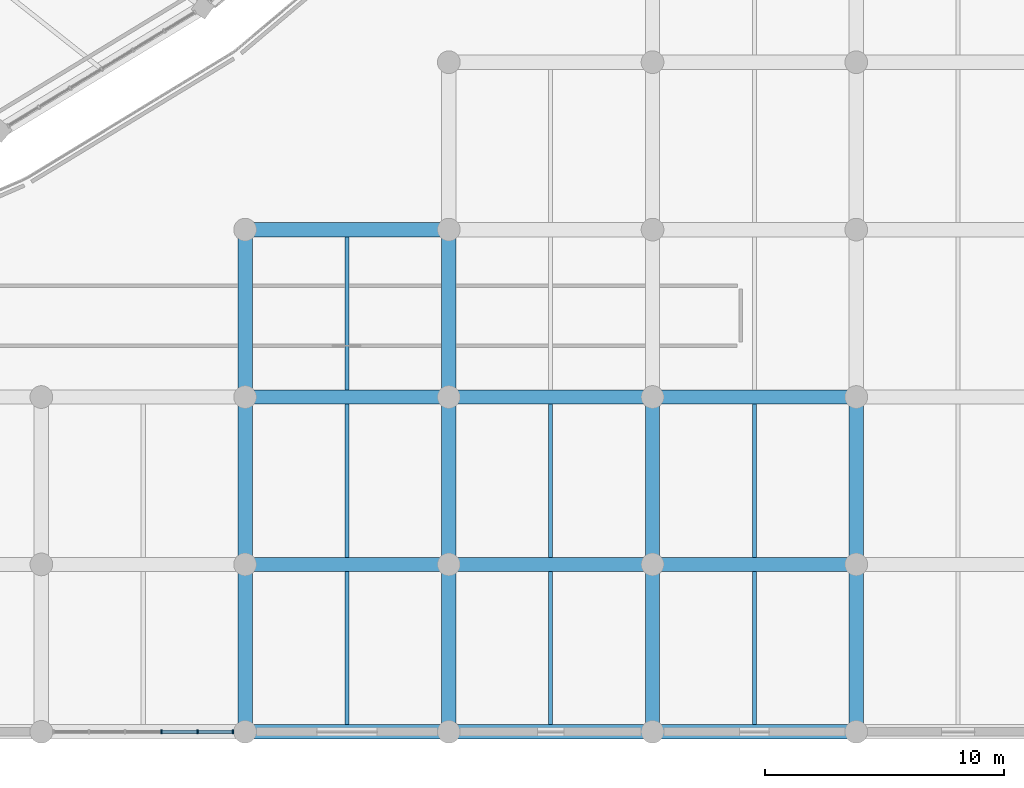
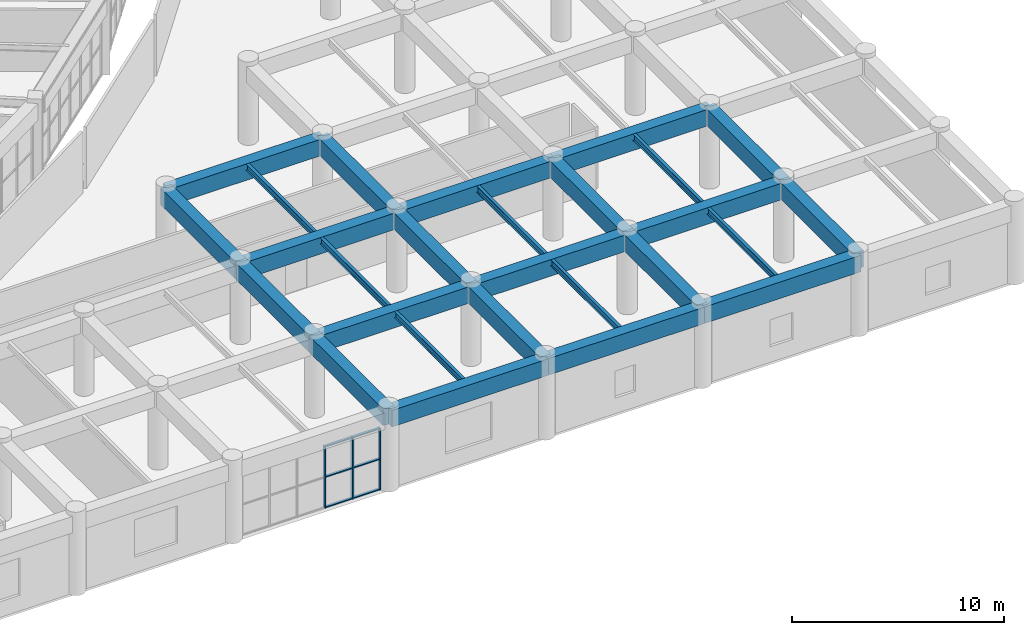
# One storey, part 37 of 137: 27 beams, 9 members, 1 element without a shape of its own.
"""IFC4 building model written with IfcOpenShell, lengths in metres."""

from ifc_helpers import new_model, si_unit, direction, frame, origin, origin_2d, place, context, subcontext, project, spatial, rectangle, i_section, extrude, material, layer, layer_set, material_profile, profile_set, type_object, element, aggregate, save


model = new_model("IFC4")

# Units and contexts
model_context = context("Model", 3, precision=1e-05, world=origin(), true_north=direction((0.0, 1.0)))
body_context = subcontext(model_context, "Body", "Model", "MODEL_VIEW")
ifc_project = project(units=[si_unit("LENGTHUNIT", "METRE"), si_unit("AREAUNIT", "SQUARE_METRE"), si_unit("VOLUMEUNIT", "CUBIC_METRE"), si_unit("PLANEANGLEUNIT", "RADIAN"), si_unit("MASSUNIT", "GRAM", prefix="KILO")], contexts=[model_context])

# Site, building, storey
site_placement = place(None, origin())
site = spatial("IfcSite", under=ifc_project, at=site_placement, CompositionType="ELEMENT")
building_placement = place(site_placement, origin())
building = spatial("IfcBuilding", under=site, at=building_placement, Name="Mphavela Belvedere Stadium", CompositionType="ELEMENT")
storey_placement = place(building_placement, frame((0.0, 0.0, 19.199951171875)))
storey = spatial("IfcBuildingStorey", under=building, at=storey_placement, Name="L04", CompositionType="ELEMENT", Elevation=19.199951171875)

# Beams
ifc_material_1 = material(Name="Concrete C40/50", Category="concrete")
ifc_material_profile_1 = material_profile(ifc_material_1, rectangle(XDim=0.60009765625, YDim=0.949951171875, at=origin_2d()), Name="RC 600x950")
ifc_profile_set_1 = profile_set([ifc_material_profile_1], Name="Concrete C40/50")
beam_type_1 = type_object("IfcBeamType", Name="BM-ENTABLATURE-950", PredefinedType="SPANDREL", material=ifc_profile_set_1)
beam_1_placement = place(storey_placement, frame((195.926025390625, 0.0, 4.06494140625), z_axis=(1.0, 0.0, 0.0), x_axis=(0.0, 1.0, 0.0)))
element("IfcBeam", 1, at=beam_1_placement, inside=storey, type_object=beam_type_1, Name="South Axial Triumphal Peristyle Portico entablature beam X L04 24-1", PredefinedType="SPANDREL", context=body_context, shape_type="SweptSolid", body=[
    extrude(rectangle(XDim=0.60009765625, YDim=0.949951171875, at=origin_2d()), origin(), (0.0, 0.0, 1.0), 8.51806640625),
])
beam_2_placement = place(storey_placement, frame((195.926025390625, 0.0, 4.06494140625), z_axis=(0.0, 1.0, 0.0), x_axis=(-1.0, 0.0, 0.0)))
element("IfcBeam", 2, at=beam_2_placement, inside=storey, type_object=beam_type_1, Name="South Axial Triumphal Peristyle Portico entablature beam Y L04 24-1", PredefinedType="SPANDREL", context=body_context, shape_type="SweptSolid", body=[
    extrude(rectangle(XDim=0.60009765625, YDim=0.949951171875, at=origin_2d()), origin(), (0.0, 0.0, 1.0), 7.0),
])
beam_3_placement = place(storey_placement, frame((195.926025390625, 7.0, 4.06494140625), z_axis=(1.0, 0.0, 0.0), x_axis=(0.0, 1.0, 0.0)))
element("IfcBeam", 3, at=beam_3_placement, inside=storey, type_object=beam_type_1, Name="South Axial Triumphal Peristyle Portico entablature beam X L04 24-2", PredefinedType="SPANDREL", context=body_context, shape_type="SweptSolid", body=[
    extrude(rectangle(XDim=0.60009765625, YDim=0.949951171875, at=origin_2d()), origin(), (0.0, 0.0, 1.0), 8.51806640625),
])
beam_4_placement = place(storey_placement, frame((195.926025390625, 7.0, 4.06494140625), z_axis=(0.0, 1.0, 0.0), x_axis=(-1.0, 0.0, 0.0)))
element("IfcBeam", 4, at=beam_4_placement, inside=storey, type_object=beam_type_1, Name="South Axial Triumphal Peristyle Portico entablature beam Y L04 24-2", PredefinedType="SPANDREL", context=body_context, shape_type="SweptSolid", body=[
    extrude(rectangle(XDim=0.60009765625, YDim=0.949951171875, at=origin_2d()), origin(), (0.0, 0.0, 1.0), 7.0),
])
beam_5_placement = place(storey_placement, frame((195.926025390625, 14.0, 4.06494140625), z_axis=(1.0, 0.0, 0.0), x_axis=(0.0, 1.0, 0.0)))
element("IfcBeam", 5, at=beam_5_placement, inside=storey, type_object=beam_type_1, Name="South Axial Triumphal Peristyle Portico entablature beam X L04 24-3", PredefinedType="SPANDREL", context=body_context, shape_type="SweptSolid", body=[
    extrude(rectangle(XDim=0.60009765625, YDim=0.949951171875, at=origin_2d()), origin(), (0.0, 0.0, 1.0), 8.51806640625),
])
beam_6_placement = place(storey_placement, frame((195.926025390625, 14.0, 4.06494140625), z_axis=(0.0, 1.0, 0.0), x_axis=(-1.0, 0.0, 0.0)))
element("IfcBeam", 6, at=beam_6_placement, inside=storey, type_object=beam_type_1, Name="South Axial Triumphal Peristyle Portico entablature beam Y L04 24-3", PredefinedType="SPANDREL", context=body_context, shape_type="SweptSolid", body=[
    extrude(rectangle(XDim=0.60009765625, YDim=0.949951171875, at=origin_2d()), origin(), (0.0, 0.0, 1.0), 7.0),
])
beam_7_placement = place(storey_placement, frame((195.926025390625, 21.0, 4.06494140625), z_axis=(1.0, 0.0, 0.0), x_axis=(0.0, 1.0, 0.0)))
element("IfcBeam", 7, at=beam_7_placement, inside=storey, type_object=beam_type_1, Name="South Axial Triumphal Peristyle Portico entablature beam X L04 24-4", PredefinedType="SPANDREL", context=body_context, shape_type="SweptSolid", body=[
    extrude(rectangle(XDim=0.60009765625, YDim=0.949951171875, at=origin_2d()), origin(), (0.0, 0.0, 1.0), 8.51806640625),
])
beam_8_placement = place(storey_placement, frame((204.444091796875, 0.0, 4.06494140625), z_axis=(1.0, 0.0, 0.0), x_axis=(0.0, 1.0, 0.0)))
element("IfcBeam", 8, at=beam_8_placement, inside=storey, type_object=beam_type_1, Name="South Axial Triumphal Peristyle Portico entablature beam X L04 25-1", PredefinedType="SPANDREL", context=body_context, shape_type="SweptSolid", body=[
    extrude(rectangle(XDim=0.60009765625, YDim=0.949951171875, at=origin_2d()), origin(), (0.0, 0.0, 1.0), 8.518798828125),
])
beam_9_placement = place(storey_placement, frame((204.444091796875, 0.0, 4.06494140625), z_axis=(0.0, 1.0, 0.0), x_axis=(-1.0, 0.0, 0.0)))
element("IfcBeam", 9, at=beam_9_placement, inside=storey, type_object=beam_type_1, Name="South Axial Triumphal Peristyle Portico entablature beam Y L04 25-1", PredefinedType="SPANDREL", context=body_context, shape_type="SweptSolid", body=[
    extrude(rectangle(XDim=0.60009765625, YDim=0.949951171875, at=origin_2d()), origin(), (0.0, 0.0, 1.0), 7.0),
])
beam_10_placement = place(storey_placement, frame((204.444091796875, 7.0, 4.06494140625), z_axis=(1.0, 0.0, 0.0), x_axis=(0.0, 1.0, 0.0)))
element("IfcBeam", 10, at=beam_10_placement, inside=storey, type_object=beam_type_1, Name="South Axial Triumphal Peristyle Portico entablature beam X L04 25-2", PredefinedType="SPANDREL", context=body_context, shape_type="SweptSolid", body=[
    extrude(rectangle(XDim=0.60009765625, YDim=0.949951171875, at=origin_2d()), origin(), (0.0, 0.0, 1.0), 8.518798828125),
])
beam_11_placement = place(storey_placement, frame((204.444091796875, 7.0, 4.06494140625), z_axis=(0.0, 1.0, 0.0), x_axis=(-1.0, 0.0, 0.0)))
element("IfcBeam", 11, at=beam_11_placement, inside=storey, type_object=beam_type_1, Name="South Axial Triumphal Peristyle Portico entablature beam Y L04 25-2", PredefinedType="SPANDREL", context=body_context, shape_type="SweptSolid", body=[
    extrude(rectangle(XDim=0.60009765625, YDim=0.949951171875, at=origin_2d()), origin(), (0.0, 0.0, 1.0), 7.0),
])
beam_12_placement = place(storey_placement, frame((204.444091796875, 14.0, 4.06494140625), z_axis=(1.0, 0.0, 0.0), x_axis=(0.0, 1.0, 0.0)))
element("IfcBeam", 12, at=beam_12_placement, inside=storey, type_object=beam_type_1, Name="South Axial Triumphal Peristyle Portico entablature beam X L04 25-3", PredefinedType="SPANDREL", context=body_context, shape_type="SweptSolid", body=[
    extrude(rectangle(XDim=0.60009765625, YDim=0.949951171875, at=origin_2d()), origin(), (0.0, 0.0, 1.0), 8.518798828125),
])
beam_13_placement = place(storey_placement, frame((204.444091796875, 14.0, 4.06494140625), z_axis=(0.0, 1.0, 0.0), x_axis=(-1.0, 0.0, 0.0)))
element("IfcBeam", 13, at=beam_13_placement, inside=storey, type_object=beam_type_1, Name="South Axial Triumphal Peristyle Portico entablature beam Y L04 25-3", PredefinedType="SPANDREL", context=body_context, shape_type="SweptSolid", body=[
    extrude(rectangle(XDim=0.60009765625, YDim=0.949951171875, at=origin_2d()), origin(), (0.0, 0.0, 1.0), 7.0),
])
beam_14_placement = place(storey_placement, frame((212.962890625, 0.0, 4.06494140625), z_axis=(1.0, 0.0, 0.0), x_axis=(0.0, 1.0, 0.0)))
element("IfcBeam", 14, at=beam_14_placement, inside=storey, type_object=beam_type_1, Name="South Axial Triumphal Peristyle Portico entablature beam X L04 26-1", PredefinedType="SPANDREL", context=body_context, shape_type="SweptSolid", body=[
    extrude(rectangle(XDim=0.60009765625, YDim=0.949951171875, at=origin_2d()), origin(), (0.0, 0.0, 1.0), 8.51806640625),
])
beam_15_placement = place(storey_placement, frame((212.962890625, 0.0, 4.06494140625), z_axis=(0.0, 1.0, 0.0), x_axis=(-1.0, 0.0, 0.0)))
element("IfcBeam", 15, at=beam_15_placement, inside=storey, type_object=beam_type_1, Name="South Axial Triumphal Peristyle Portico entablature beam Y L04 26-1", PredefinedType="SPANDREL", context=body_context, shape_type="SweptSolid", body=[
    extrude(rectangle(XDim=0.60009765625, YDim=0.949951171875, at=origin_2d()), origin(), (0.0, 0.0, 1.0), 7.0),
])
beam_16_placement = place(storey_placement, frame((212.962890625, 7.0, 4.06494140625), z_axis=(1.0, 0.0, 0.0), x_axis=(0.0, 1.0, 0.0)))
element("IfcBeam", 16, at=beam_16_placement, inside=storey, type_object=beam_type_1, Name="South Axial Triumphal Peristyle Portico entablature beam X L04 26-2", PredefinedType="SPANDREL", context=body_context, shape_type="SweptSolid", body=[
    extrude(rectangle(XDim=0.60009765625, YDim=0.949951171875, at=origin_2d()), origin(), (0.0, 0.0, 1.0), 8.51806640625),
])
beam_17_placement = place(storey_placement, frame((212.962890625, 7.0, 4.06494140625), z_axis=(0.0, 1.0, 0.0), x_axis=(-1.0, 0.0, 0.0)))
element("IfcBeam", 17, at=beam_17_placement, inside=storey, type_object=beam_type_1, Name="South Axial Triumphal Peristyle Portico entablature beam Y L04 26-2", PredefinedType="SPANDREL", context=body_context, shape_type="SweptSolid", body=[
    extrude(rectangle(XDim=0.60009765625, YDim=0.949951171875, at=origin_2d()), origin(), (0.0, 0.0, 1.0), 7.0),
])
beam_18_placement = place(storey_placement, frame((212.962890625, 14.0, 4.06494140625), z_axis=(1.0, 0.0, 0.0), x_axis=(0.0, 1.0, 0.0)))
element("IfcBeam", 18, at=beam_18_placement, inside=storey, type_object=beam_type_1, Name="South Axial Triumphal Peristyle Portico entablature beam X L04 26-3", PredefinedType="SPANDREL", context=body_context, shape_type="SweptSolid", body=[
    extrude(rectangle(XDim=0.60009765625, YDim=0.949951171875, at=origin_2d()), origin(), (0.0, 0.0, 1.0), 8.51806640625),
])
for number, where, z_axis, x_axis, name in (
    (19, (221.48095703125, 0.0, 4.06494140625), (0.0, 1.0, 0.0), (-1.0, 0.0, 0.0), "South Axial Triumphal Peristyle Portico entablature beam Y L04 27-1"),
    (20, (221.48095703125, 7.0, 4.06494140625), (0.0, 1.0, 0.0), (-1.0, 0.0, 0.0), "South Axial Triumphal Peristyle Portico entablature beam Y L04 27-2"),
):
    element("IfcBeam", number, at=place(storey_placement, frame(where, z_axis=z_axis, x_axis=x_axis)), inside=storey, type_object=beam_type_1, Name=name, PredefinedType="SPANDREL", context=body_context, shape_type="SweptSolid", body=[
        extrude(rectangle(XDim=0.60009765625, YDim=0.949951171875, at=origin_2d()), origin(), (0.0, 0.0, 1.0), 7.0),
    ])
ifc_material_2 = material(Name="Steel S355", Category="steel")
ifc_material_profile_2 = material_profile(ifc_material_2, i_section(OverallWidth=0.169921875, OverallDepth=0.360107421875, WebThickness=0.008056640625, FlangeThickness=0.0126953125, at=origin_2d()), Name="IPE 360")
ifc_profile_set_2 = profile_set([ifc_material_profile_2], Name="Steel S355")
beam_type_2 = type_object("IfcBeamType", Name="BM-JOIST-IPE360", PredefinedType="JOIST", material=ifc_profile_set_2)
for number, where, z_axis, x_axis, name in (
    (21, (200.18505859375, 0.300048828125, 4.360107421875), (0.0, 1.0, 0.0), (-1.0, 0.0, 0.0), "South Axial Triumphal Peristyle Portico secondary joist L04 24-1"),
    (22, (200.18505859375, 7.300048828125, 4.360107421875), (0.0, 1.0, 0.0), (-1.0, 0.0, 0.0), "South Axial Triumphal Peristyle Portico secondary joist L04 24-2"),
    (23, (200.18505859375, 14.300048828125, 4.360107421875), (0.0, 1.0, 0.0), (-1.0, 0.0, 0.0), "South Axial Triumphal Peristyle Portico secondary joist L04 24-3"),
    (24, (208.70361328125, 0.300048828125, 4.360107421875), (0.0, 1.0, 0.0), (-1.0, 0.0, 0.0), "South Axial Triumphal Peristyle Portico secondary joist L04 25-1"),
    (25, (208.70361328125, 7.300048828125, 4.360107421875), (0.0, 1.0, 0.0), (-1.0, 0.0, 0.0), "South Axial Triumphal Peristyle Portico secondary joist L04 25-2"),
    (26, (217.221923828125, 0.300048828125, 4.360107421875), (0.0, 1.0, 0.0), (-1.0, 0.0, 0.0), "South Axial Triumphal Peristyle Portico secondary joist L04 26-1"),
    (27, (217.221923828125, 7.300048828125, 4.360107421875), (0.0, 1.0, 0.0), (-1.0, 0.0, 0.0), "South Axial Triumphal Peristyle Portico secondary joist L04 26-2"),
):
    element("IfcBeam", number, at=place(storey_placement, frame(where, z_axis=z_axis, x_axis=x_axis)), inside=storey, type_object=beam_type_2, Name=name, PredefinedType="JOIST", context=body_context, shape_type="SweptSolid", body=[
        extrude(i_section(OverallWidth=0.169921875, OverallDepth=0.360107421875, WebThickness=0.008056640625, FlangeThickness=0.0126953125, at=origin_2d()), origin(), (0.0, 0.0, 1.0), 6.39990234375),
    ])

# Curtain wall, members
ifc_material_3 = material(Name="Anodised bronze unitised curtain wall framing")
ifc_layer = layer(ifc_material_3, 0.205078125)
ifc_layer_set = layer_set([ifc_layer], Name="Anodised bronze unitised curtain wall framing")
curtain_wall_type = type_object("IfcCurtainWallType", Name="CW-UNIT-06", PredefinedType="USERDEFINED", material=ifc_layer_set)
curtain_wall_placement = place(storey_placement, origin())
curtain_wall = element("IfcCurtainWall", 28, at=curtain_wall_placement, inside=storey, type_object=curtain_wall_type, Name="South Axial Triumphal Peristyle Portico gallery curtain wall L04-23", ObjectType="UNITISED CURTAIN WALL", PredefinedType="USERDEFINED")
ifc_material_4 = material(Name="Anodised bronze extruded aluminium", Category="aluminium")
ifc_material_profile_3 = material_profile(ifc_material_4, rectangle(XDim=0.179931640625, YDim=0.06494140625, at=origin_2d()), Name="CW-MUL 180x65")
ifc_profile_set_3 = profile_set([ifc_material_profile_3], Name="Anodised bronze extruded aluminium")
member_type_1 = type_object("IfcMemberType", Name="CWM-180x65", PredefinedType="MULLION", material=ifc_profile_set_3)
member_1_placement = place(storey_placement, frame((195.42041015625, 0.0, 0.0), z_axis=(0.0, 0.0, 1.0), x_axis=(0.0, -1.0, 0.0)))
member_1 = element("IfcMember", 29, at=member_1_placement, type_object=member_type_1, Name="CW-06 mullion 1", PredefinedType="MULLION", context=body_context, shape_type="SweptSolid", body=[
    extrude(rectangle(XDim=0.179931640625, YDim=0.06494140625, at=origin_2d()), origin(), (0.0, 0.0, 1.0), 3.56005859375),
])
member_2_placement = place(storey_placement, frame((193.9384765625, 0.0, 0.0), z_axis=(0.0, 0.0, 1.0), x_axis=(0.0, -1.0, 0.0)))
member_2 = element("IfcMember", 30, at=member_2_placement, type_object=member_type_1, Name="CW-06 mullion 2", PredefinedType="MULLION", context=body_context, shape_type="SweptSolid", body=[
    extrude(rectangle(XDim=0.179931640625, YDim=0.06494140625, at=origin_2d()), origin(), (0.0, 0.0, 1.0), 3.56005859375),
])
member_3_placement = place(storey_placement, frame((192.423828125, 0.0, 0.0), z_axis=(0.0, 0.0, 1.0), x_axis=(0.0, -1.0, 0.0)))
member_3 = element("IfcMember", 31, at=member_3_placement, type_object=member_type_1, Name="CW-06 mullion 3", PredefinedType="MULLION", context=body_context, shape_type="SweptSolid", body=[
    extrude(rectangle(XDim=0.179931640625, YDim=0.06494140625, at=origin_2d()), origin(), (0.0, 0.0, 1.0), 3.56005859375),
])
ifc_material_5 = material(Name="Anodised bronze extruded aluminium", Category="aluminium")
ifc_material_profile_4 = material_profile(ifc_material_5, rectangle(XDim=0.139892578125, YDim=0.06005859375, at=origin_2d()), Name="CW-TRN 140x60")
ifc_profile_set_4 = profile_set([ifc_material_profile_4], Name="Anodised bronze extruded aluminium")
member_type_2 = type_object("IfcMemberType", Name="CWT-140x60", PredefinedType="USERDEFINED", material=ifc_profile_set_4)
member_4_placement = place(storey_placement, frame((195.387939453125, 0.0, 0.030029296875), z_axis=(-1.0, 0.0, 0.0), x_axis=(0.0, -1.0, 0.0)))
member_4 = element("IfcMember", 32, at=member_4_placement, type_object=member_type_2, Name="CW-06 transom 1.1", ObjectType="TRANSOM", PredefinedType="USERDEFINED", context=body_context, shape_type="SweptSolid", body=[
    extrude(rectangle(XDim=0.139892578125, YDim=0.06005859375, at=origin_2d()), origin(), (0.0, 0.0, 1.0), 1.4169921875),
])
member_5_placement = place(storey_placement, frame((195.387939453125, 0.0, 1.780029296875), z_axis=(-1.0, 0.0, 0.0), x_axis=(0.0, -1.0, 0.0)))
member_5 = element("IfcMember", 33, at=member_5_placement, type_object=member_type_2, Name="CW-06 transom 1.2", ObjectType="TRANSOM", PredefinedType="USERDEFINED", context=body_context, shape_type="SweptSolid", body=[
    extrude(rectangle(XDim=0.139892578125, YDim=0.06005859375, at=origin_2d()), origin(), (0.0, 0.0, 1.0), 1.4169921875),
])
member_6_placement = place(storey_placement, frame((195.387939453125, 0.0, 3.530029296875), z_axis=(-1.0, 0.0, 0.0), x_axis=(0.0, -1.0, 0.0)))
member_6 = element("IfcMember", 34, at=member_6_placement, type_object=member_type_2, Name="CW-06 transom 1.3", ObjectType="TRANSOM", PredefinedType="USERDEFINED", context=body_context, shape_type="SweptSolid", body=[
    extrude(rectangle(XDim=0.139892578125, YDim=0.06005859375, at=origin_2d()), origin(), (0.0, 0.0, 1.0), 1.4169921875),
])
member_7_placement = place(storey_placement, frame((193.906005859375, 0.0, 0.030029296875), z_axis=(-1.0, 0.0, 0.0), x_axis=(0.0, -1.0, 0.0)))
member_7 = element("IfcMember", 35, at=member_7_placement, type_object=member_type_2, Name="CW-06 transom 2.1", ObjectType="TRANSOM", PredefinedType="USERDEFINED", context=body_context, shape_type="SweptSolid", body=[
    extrude(rectangle(XDim=0.139892578125, YDim=0.06005859375, at=origin_2d()), origin(), (0.0, 0.0, 1.0), 1.44970703125),
])
member_8_placement = place(storey_placement, frame((193.906005859375, 0.0, 1.780029296875), z_axis=(-1.0, 0.0, 0.0), x_axis=(0.0, -1.0, 0.0)))
member_8 = element("IfcMember", 36, at=member_8_placement, type_object=member_type_2, Name="CW-06 transom 2.2", ObjectType="TRANSOM", PredefinedType="USERDEFINED", context=body_context, shape_type="SweptSolid", body=[
    extrude(rectangle(XDim=0.139892578125, YDim=0.06005859375, at=origin_2d()), origin(), (0.0, 0.0, 1.0), 1.44970703125),
])
member_9_placement = place(storey_placement, frame((193.906005859375, 0.0, 3.530029296875), z_axis=(-1.0, 0.0, 0.0), x_axis=(0.0, -1.0, 0.0)))
member_9 = element("IfcMember", 37, at=member_9_placement, type_object=member_type_2, Name="CW-06 transom 2.3", ObjectType="TRANSOM", PredefinedType="USERDEFINED", context=body_context, shape_type="SweptSolid", body=[
    extrude(rectangle(XDim=0.139892578125, YDim=0.06005859375, at=origin_2d()), origin(), (0.0, 0.0, 1.0), 1.44970703125),
])
aggregate(curtain_wall, [member_1, member_2, member_3, member_4, member_5, member_6, member_7, member_8, member_9])

save(model, "model.ifc")
